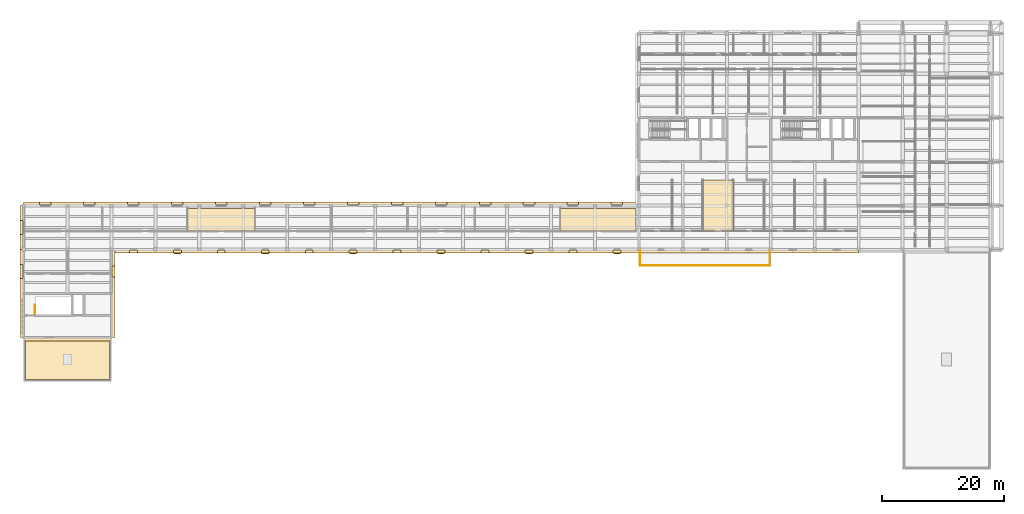
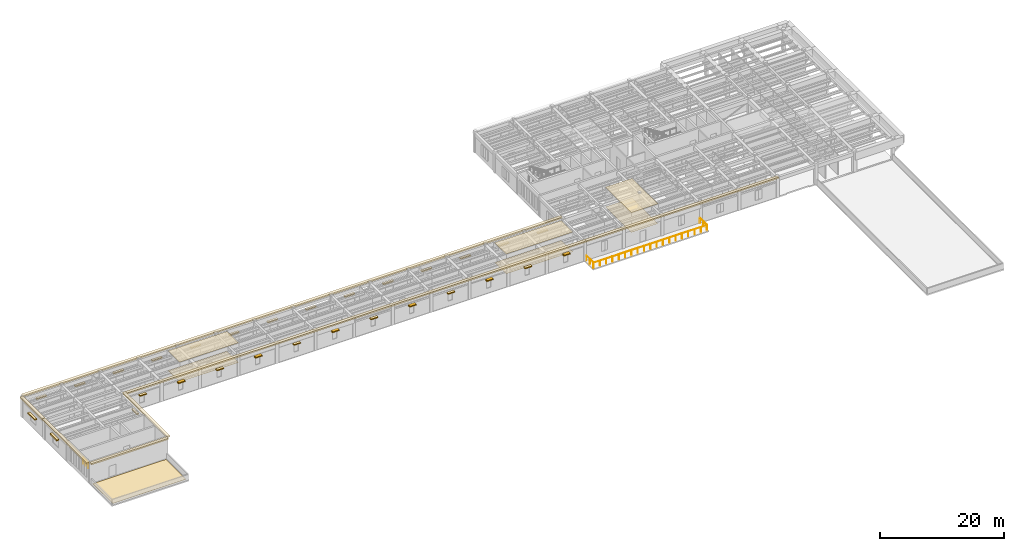
# One storey, part 20 of 22: 43 coverings, 6 shading devices, 4 railings.
"""IFC4 building model written with IfcOpenShell, lengths in metres."""

from ifc_helpers import new_model, si_unit, direction, frame, origin, origin_2d, place, context, subcontext, project, spatial, polyline, rectangle, circle, outline, extrude, material, layer, layer_set, type_object, element, save


model = new_model("IFC4")

# Units and contexts
model_context = context("Model", 3, precision=1e-05, world=origin(), true_north=direction((0.0, 1.0)))
body_context = subcontext(model_context, "Body", "Model", "MODEL_VIEW")
ifc_project = project(units=[si_unit("LENGTHUNIT", "METRE"), si_unit("AREAUNIT", "SQUARE_METRE"), si_unit("VOLUMEUNIT", "CUBIC_METRE"), si_unit("PLANEANGLEUNIT", "RADIAN"), si_unit("MASSUNIT", "GRAM", prefix="KILO")], contexts=[model_context])

# Site, building, storey
site_placement = place(None, origin())
site = spatial("IfcSite", under=ifc_project, at=site_placement, CompositionType="ELEMENT")
building_placement = place(site_placement, origin())
building = spatial("IfcBuilding", under=site, at=building_placement, Name="Mithqara Police Headquarters", CompositionType="ELEMENT")
storey_placement = place(building_placement, frame((0.0, 0.0, 22.199951171875)))
storey = spatial("IfcBuildingStorey", under=building, at=storey_placement, Name="L05", CompositionType="ELEMENT", Elevation=22.199951171875)

# Coverings
ifc_material_1 = material(Name="Acoustic mineral-fibre ceiling tile", Category="gypsum")
ifc_layer_1 = layer(ifc_material_1, 0.02490234375, Name="Acoustic mineral-fibre ceiling tile")
ifc_layer_set_1 = layer_set([ifc_layer_1], Name="Acoustic mineral-fibre ceiling tile")
covering_type_1 = type_object("IfcCoveringType", Name="ACOUSTIC CEILING TILE", PredefinedType="CEILING", material=ifc_layer_set_1)
covering_1_placement = place(storey_placement, frame((0.0, 0.0, 3.89501953125)))
element("IfcCovering", 1, at=covering_1_placement, inside=storey, type_object=covering_type_1, Name="Executive Briefing Room Acoustic Ceiling", PredefinedType="CEILING", context=body_context, shape_type="SweptSolid", body=[
    extrude(outline(polyline([(119.0859375, 81.659912109375), (124.069091796875, 81.659912109375), (124.069091796875, 89.97998046875), (119.0859375, 89.97998046875), (119.0859375, 81.659912109375)])), origin(), (0.0, 0.0, 1.0), 0.025146484375),
])
covering_2_placement = place(storey_placement, frame((0.0, 0.0, 3.89501953125)))
element("IfcCovering", 2, at=covering_2_placement, inside=storey, type_object=covering_type_1, Name="Inspectorate Audit Room Acoustic Ceiling", PredefinedType="CEILING", context=body_context, shape_type="SweptSolid", body=[
    extrude(outline(polyline([(34.679931640625, 81.659912109375), (45.68505859375, 81.659912109375), (45.68505859375, 85.360107421875), (34.679931640625, 85.360107421875), (34.679931640625, 81.659912109375)])), origin(), (0.0, 0.0, 1.0), 0.025146484375),
])
covering_3_placement = place(storey_placement, frame((0.0, 0.0, 3.89501953125)))
element("IfcCovering", 3, at=covering_3_placement, inside=storey, type_object=covering_type_1, Name="Professional Standards Hearing Room Acoustic Ceiling", PredefinedType="CEILING", context=body_context, shape_type="SweptSolid", body=[
    extrude(outline(polyline([(95.705078125, 81.659912109375), (108.159912109375, 81.659912109375), (108.159912109375, 85.360107421875), (95.705078125, 85.360107421875), (95.705078125, 81.659912109375)])), origin(), (0.0, 0.0, 1.0), 0.025146484375),
])
ifc_material_2 = material(Name="Limestone ashlar masonry, 45 MPa", Category="masonry")
ifc_layer_2 = layer(ifc_material_2, 0.320068359375, Name="Limestone ashlar masonry, 45 MPa")
ifc_layer_set_2 = layer_set([ifc_layer_2], Name="Limestone ashlar masonry, 45 MPa")
covering_type_2 = type_object("IfcCoveringType", Name="CORNICE LIMESTONE", PredefinedType="CLADDING", material=ifc_layer_set_2)
for number, where, z_axis, x_axis, name in (
    (4, (15.0, 63.919921875, 3.919921875), (0.0, 0.0, 1.0), (1.0, 0.0, 0.0), "L05 Projecting Ottoman Limestone Eaves Cornice 1"),
    (5, (22.47998046875, 71.39990234375, 3.919921875), (0.0, 0.0, 1.0), (0.0, 1.0, 0.0), "L05 Projecting Ottoman Limestone Eaves Cornice 2"),
):
    element("IfcCovering", number, at=place(storey_placement, frame(where, z_axis=z_axis, x_axis=x_axis)), inside=storey, type_object=covering_type_2, Name=name, PredefinedType="CLADDING", context=body_context, shape_type="SweptSolid", body=[
        extrude(rectangle(XDim=14.39990234375, YDim=0.56005859375, at=origin_2d()), origin(), (0.0, 0.0, 1.0), 0.280029296875),
    ])
covering_4_placement = place(storey_placement, frame((65.39990234375, 78.320068359375, 3.919921875), z_axis=(0.0, 0.0, 1.0), x_axis=(1.0, 0.0, 0.0)))
element("IfcCovering", 6, at=covering_4_placement, inside=storey, type_object=covering_type_2, Name="L05 Projecting Ottoman Limestone Eaves Cornice 3", PredefinedType="CLADDING", context=body_context, shape_type="SweptSolid", body=[
    extrude(rectangle(XDim=86.39990234375, YDim=0.56005859375, at=origin_2d()), origin(), (0.0, 0.0, 1.0), 0.280029296875),
])
covering_5_placement = place(storey_placement, frame((126.60009765625, 78.320068359375, 3.919921875), z_axis=(0.0, 0.0, 1.0), x_axis=(1.0, 0.0, 0.0)))
element("IfcCovering", 7, at=covering_5_placement, inside=storey, type_object=covering_type_2, Name="L05 Projecting Ottoman Limestone Eaves Cornice 4", PredefinedType="CLADDING", context=body_context, shape_type="SweptSolid", body=[
    extrude(rectangle(XDim=36.0, YDim=0.56005859375, at=origin_2d()), origin(), (0.0, 0.0, 1.0), 0.280029296875),
])
covering_6_placement = place(storey_placement, frame((58.199951171875, 86.080078125, 3.919921875), z_axis=(0.0, 0.0, 1.0), x_axis=(1.0, 0.0, 0.0)))
element("IfcCovering", 8, at=covering_6_placement, inside=storey, type_object=covering_type_2, Name="L05 Projecting Ottoman Limestone Eaves Cornice 10", PredefinedType="CLADDING", context=body_context, shape_type="SweptSolid", body=[
    extrude(rectangle(XDim=100.800048828125, YDim=0.56005859375, at=origin_2d()), origin(), (0.0, 0.0, 1.0), 0.280029296875),
])
covering_7_placement = place(storey_placement, frame((7.52001953125, 82.199951171875, 3.919921875), z_axis=(0.0, 0.0, 1.0), x_axis=(0.0, 1.0, 0.0)))
element("IfcCovering", 9, at=covering_7_placement, inside=storey, type_object=covering_type_2, Name="L05 Projecting Ottoman Limestone Eaves Cornice 11", PredefinedType="CLADDING", context=body_context, shape_type="SweptSolid", body=[
    extrude(rectangle(XDim=7.199951171875, YDim=0.56005859375, at=origin_2d()), origin(), (0.0, 0.0, 1.0), 0.280029296875),
])
covering_8_placement = place(storey_placement, frame((7.52001953125, 71.39990234375, 3.919921875), z_axis=(0.0, 0.0, 1.0), x_axis=(0.0, 1.0, 0.0)))
element("IfcCovering", 10, at=covering_8_placement, inside=storey, type_object=covering_type_2, Name="L05 Projecting Ottoman Limestone Eaves Cornice 12", PredefinedType="CLADDING", context=body_context, shape_type="SweptSolid", body=[
    extrude(rectangle(XDim=14.39990234375, YDim=0.56005859375, at=origin_2d()), origin(), (0.0, 0.0, 1.0), 0.280029296875),
])

# Railings
ifc_material_3 = material(Name="Bronze anodised aluminium 6063-T6", Category="aluminium")
railing_type_1 = type_object("IfcRailingType", Name="GUARD BALUSTRADE1120", PredefinedType="BALUSTRADE", material=ifc_material_3)
railing_1_placement = place(storey_placement, frame((108.780029296875, 75.97998046875, 0.0)))
element("IfcRailing", 11, at=railing_1_placement, inside=storey, type_object=railing_type_1, Name="L05 Terrace Balustrade TER-L05-S-S", PredefinedType="BALUSTRADE", context=body_context, shape_type="SweptSolid", body=[
    extrude(circle(Radius=0.02392578125, at=origin_2d()), frame((0.0, 0.0, 1.09619140625), z_axis=(1.0, 0.0, 0.0), x_axis=(0.0, 1.0, 0.0)), (0.0, 0.0, 1.0), 21.239990234375),
    extrude(circle(Radius=0.02099609375, at=origin_2d()), origin(), (0.0, 0.0, 1.0), 1.072021484375),
    extrude(circle(Radius=0.02099609375, at=origin_2d()), frame((1.179931640625, 0.0, 0.0)), (0.0, 0.0, 1.0), 1.072021484375),
    extrude(circle(Radius=0.02099609375, at=origin_2d()), frame((2.360107421875, 0.0, 0.0)), (0.0, 0.0, 1.0), 1.072021484375),
    extrude(circle(Radius=0.02099609375, at=origin_2d()), frame((3.5400390625, 0.0, 0.0)), (0.0, 0.0, 1.0), 1.072021484375),
    extrude(circle(Radius=0.02099609375, at=origin_2d()), frame((4.719970703125, 0.0, 0.0)), (0.0, 0.0, 1.0), 1.072021484375),
    extrude(circle(Radius=0.02099609375, at=origin_2d()), frame((5.89990234375, 0.0, 0.0)), (0.0, 0.0, 1.0), 1.072021484375),
    extrude(circle(Radius=0.02099609375, at=origin_2d()), frame((7.080078125, 0.0, 0.0)), (0.0, 0.0, 1.0), 1.072021484375),
    extrude(circle(Radius=0.02099609375, at=origin_2d()), frame((8.260009765625, 0.0, 0.0)), (0.0, 0.0, 1.0), 1.072021484375),
    extrude(circle(Radius=0.02099609375, at=origin_2d()), frame((9.43994140625, 0.0, 0.0)), (0.0, 0.0, 1.0), 1.072021484375),
    extrude(circle(Radius=0.02099609375, at=origin_2d()), frame((10.6201171875, 0.0, 0.0)), (0.0, 0.0, 1.0), 1.072021484375),
    extrude(circle(Radius=0.02099609375, at=origin_2d()), frame((11.800048828125, 0.0, 0.0)), (0.0, 0.0, 1.0), 1.072021484375),
    extrude(circle(Radius=0.02099609375, at=origin_2d()), frame((12.97998046875, 0.0, 0.0)), (0.0, 0.0, 1.0), 1.072021484375),
    extrude(circle(Radius=0.02099609375, at=origin_2d()), frame((14.159912109375, 0.0, 0.0)), (0.0, 0.0, 1.0), 1.072021484375),
    extrude(circle(Radius=0.02099609375, at=origin_2d()), frame((15.340087890625, 0.0, 0.0)), (0.0, 0.0, 1.0), 1.072021484375),
    extrude(circle(Radius=0.02099609375, at=origin_2d()), frame((16.52001953125, 0.0, 0.0)), (0.0, 0.0, 1.0), 1.072021484375),
    extrude(circle(Radius=0.02099609375, at=origin_2d()), frame((17.699951171875, 0.0, 0.0)), (0.0, 0.0, 1.0), 1.072021484375),
    extrude(circle(Radius=0.02099609375, at=origin_2d()), frame((18.8798828125, 0.0, 0.0)), (0.0, 0.0, 1.0), 1.072021484375),
    extrude(circle(Radius=0.02099609375, at=origin_2d()), frame((20.06005859375, 0.0, 0.0)), (0.0, 0.0, 1.0), 1.072021484375),
    extrude(circle(Radius=0.02099609375, at=origin_2d()), frame((21.239990234375, 0.0, 0.0)), (0.0, 0.0, 1.0), 1.072021484375),
])
for number, where, name in (
    (12, (108.780029296875, 76.0400390625, 0.0), "L05 Terrace Balustrade TER-L05-S-W"),
    (13, (130.02001953125, 76.0400390625, 0.0), "L05 Terrace Balustrade TER-L05-S-E"),
):
    element("IfcRailing", number, at=place(storey_placement, frame(where)), inside=storey, type_object=railing_type_1, Name=name, PredefinedType="BALUSTRADE", context=body_context, shape_type="SweptSolid", body=[
        extrude(circle(Radius=0.02392578125, at=origin_2d()), frame((0.0, 0.0, 1.09619140625), z_axis=(0.0, 1.0, 0.0), x_axis=(-1.0, 0.0, 0.0)), (0.0, 0.0, 1.0), 2.320068359375),
        extrude(circle(Radius=0.02099609375, at=origin_2d()), origin(), (0.0, 0.0, 1.0), 1.072021484375),
        extrude(circle(Radius=0.02099609375, at=origin_2d()), frame((0.0, 1.16015625, 0.0)), (0.0, 0.0, 1.0), 1.072021484375),
        extrude(circle(Radius=0.02099609375, at=origin_2d()), frame((0.0, 2.320068359375, 0.0)), (0.0, 0.0, 1.0), 1.072021484375),
    ])

# Shading devices
shading_device_type = type_object("IfcShadingDeviceType", Name="SOLAR LOUVRE BRONZE", PredefinedType="JALOUSIE", material=ifc_material_3)
for number, where, z_axis, x_axis, name in (
    (14, (33.0, 78.199951171875, 2.81005859375), (0.0, 0.0, 1.0), (1.0, 0.0, 0.0), "L05 Window Solar Louvre Hood 3.2"),
    (15, (47.39990234375, 78.199951171875, 2.81005859375), (0.0, 0.0, 1.0), (1.0, 0.0, 0.0), "L05 Window Solar Louvre Hood 3.4"),
    (16, (61.800048828125, 78.199951171875, 2.81005859375), (0.0, 0.0, 1.0), (1.0, 0.0, 0.0), "L05 Window Solar Louvre Hood 3.6"),
    (17, (76.199951171875, 78.199951171875, 2.81005859375), (0.0, 0.0, 1.0), (1.0, 0.0, 0.0), "L05 Window Solar Louvre Hood 3.8"),
    (18, (90.60009765625, 78.199951171875, 2.81005859375), (0.0, 0.0, 1.0), (1.0, 0.0, 0.0), "L05 Window Solar Louvre Hood 3.10"),
    (19, (105.0, 78.199951171875, 2.81005859375), (0.0, 0.0, 1.0), (1.0, 0.0, 0.0), "L05 Window Solar Louvre Hood 3.12"),
):
    element("IfcShadingDevice", number, at=place(storey_placement, frame(where, z_axis=z_axis, x_axis=x_axis)), inside=storey, type_object=shading_device_type, Name=name, PredefinedType="JALOUSIE", context=body_context, shape_type="SweptSolid", body=[
        extrude(rectangle(XDim=1.14990234375, YDim=0.60009765625, at=origin_2d()), origin(), (0.0, 0.0, 1.0), 0.10009765625),
    ])

# Railing
ifc_material_4 = material(Name="Steel S355JR", Category="steel")
railing_type_2 = type_object("IfcRailingType", Name="STAIR GUARD 1120", PredefinedType="GUARDRAIL", material=ifc_material_4)
railing_2_placement = place(storey_placement, frame((9.699951171875, 68.0, 0.0)))
element("IfcRailing", 20, at=railing_2_placement, inside=storey, type_object=railing_type_2, Name="L05 ST-03 top well guard 1", PredefinedType="GUARDRAIL", context=body_context, shape_type="SweptSolid", body=[
    extrude(circle(Radius=0.02392578125, at=origin_2d()), frame((0.0, 0.0, 1.076171875), z_axis=(0.0, 1.0, 0.0), x_axis=(-1.0, 0.0, 0.0)), (0.0, 0.0, 1.0), 1.550048828125),
    extrude(circle(Radius=0.02099609375, at=origin_2d()), origin(), (0.0, 0.0, 1.0), 1.052001953125),
    extrude(circle(Radius=0.02099609375, at=origin_2d()), frame((0.0, 0.77490234375, 0.0)), (0.0, 0.0, 1.0), 1.052001953125),
    extrude(circle(Radius=0.02099609375, at=origin_2d()), frame((0.0, 1.550048828125, 0.0)), (0.0, 0.0, 1.0), 1.052001953125),
])

# Coverings
ifc_material_5 = material(Name="Standing seam zinc-aluminium roofing", Category="aluminium")
ifc_layer_3 = layer(ifc_material_5, 0.0400390625, Name="Standing seam zinc-aluminium roofing")
ifc_layer_set_3 = layer_set([ifc_layer_3], Name="Standing seam zinc-aluminium roofing")
covering_type_3 = type_object("IfcCoveringType", Name="STANDING SEAM ROOFING", PredefinedType="ROOFING", material=ifc_layer_set_3)
covering_9_placement = place(storey_placement, origin())
element("IfcCovering", 21, at=covering_9_placement, inside=storey, type_object=covering_type_3, Name="L05 Insulated Roof Waterproofing ROOF-L04-00", PredefinedType="ROOFING", context=body_context, shape_type="SweptSolid", body=[
    extrude(outline(polyline([(21.85009765625, 57.35009765625), (8.14990234375, 57.35009765625), (8.14990234375, 63.830078125), (21.85009765625, 63.830078125), (21.85009765625, 57.35009765625)])), origin(), (0.0, 0.0, 1.0), 0.0400390625),
])
ifc_material_6 = material(Name="Polished limestone terrazzo flooring", Category="masonry")
ifc_layer_4 = layer(ifc_material_6, 0.02001953125, Name="Polished limestone terrazzo flooring")
ifc_layer_set_4 = layer_set([ifc_layer_4], Name="Polished limestone terrazzo flooring")
covering_type_4 = type_object("IfcCoveringType", Name="TERRAZZO FLOOR FINISH", PredefinedType="FLOORING", material=ifc_layer_set_4)
covering_10_placement = place(storey_placement, origin())
element("IfcCovering", 22, at=covering_10_placement, inside=storey, type_object=covering_type_4, Name="Executive Briefing Room Terrazzo Floor Finish", PredefinedType="FLOORING", context=body_context, shape_type="SweptSolid", body=[
    extrude(outline(polyline([(119.0859375, 81.659912109375), (124.069091796875, 81.659912109375), (124.069091796875, 89.97998046875), (119.0859375, 89.97998046875), (119.0859375, 81.659912109375)])), origin(), (0.0, 0.0, 1.0), 0.02001953125),
])
covering_11_placement = place(storey_placement, origin())
element("IfcCovering", 23, at=covering_11_placement, inside=storey, type_object=covering_type_4, Name="Inspectorate Audit Room Terrazzo Floor Finish", PredefinedType="FLOORING", context=body_context, shape_type="SweptSolid", body=[
    extrude(outline(polyline([(34.679931640625, 81.659912109375), (45.68505859375, 81.659912109375), (45.68505859375, 85.360107421875), (34.679931640625, 85.360107421875), (34.679931640625, 81.659912109375)])), origin(), (0.0, 0.0, 1.0), 0.02001953125),
])
covering_12_placement = place(storey_placement, origin())
element("IfcCovering", 24, at=covering_12_placement, inside=storey, type_object=covering_type_4, Name="Professional Standards Hearing Room Terrazzo Floor Finish", PredefinedType="FLOORING", context=body_context, shape_type="SweptSolid", body=[
    extrude(outline(polyline([(95.705078125, 81.659912109375), (108.159912109375, 81.659912109375), (108.159912109375, 85.360107421875), (95.705078125, 85.360107421875), (95.705078125, 81.659912109375)])), origin(), (0.0, 0.0, 1.0), 0.02001953125),
])
ifc_layer_5 = layer(ifc_material_2, 0.239990234375, Name="Limestone ashlar masonry, 45 MPa")
ifc_layer_set_5 = layer_set([ifc_layer_5], Name="Limestone ashlar masonry, 45 MPa")
covering_type_5 = type_object("IfcCoveringType", Name="WINDOW HOOD LIMESTONE", PredefinedType="CLADDING", material=ifc_layer_set_5)
covering_13_placement = place(storey_placement, frame((22.5400390625, 75.010009765625, 2.3701171875), z_axis=(0.0, 0.0, 1.0), x_axis=(0.0, 1.0, 0.0)))
element("IfcCovering", 25, at=covering_13_placement, inside=storey, type_object=covering_type_5, Name="L05 Limestone Window Architrave Hood 2.1", PredefinedType="CLADDING", context=body_context, shape_type="SweptSolid", body=[
    extrude(rectangle(XDim=1.739990234375, YDim=0.4599609375, at=origin_2d()), origin(), (0.0, 0.0, 1.0), 0.219970703125),
])
for number, where, z_axis, x_axis, name in (
    (26, (25.800048828125, 78.260009765625, 2.6201171875), (0.0, 0.0, 1.0), (1.0, 0.0, 0.0), "L05 Limestone Window Architrave Hood 3.1"),
    (27, (33.0, 78.260009765625, 2.6201171875), (0.0, 0.0, 1.0), (1.0, 0.0, 0.0), "L05 Limestone Window Architrave Hood 3.2"),
    (28, (40.199951171875, 78.260009765625, 2.6201171875), (0.0, 0.0, 1.0), (1.0, 0.0, 0.0), "L05 Limestone Window Architrave Hood 3.3"),
    (29, (47.39990234375, 78.260009765625, 2.6201171875), (0.0, 0.0, 1.0), (1.0, 0.0, 0.0), "L05 Limestone Window Architrave Hood 3.4"),
    (30, (54.60009765625, 78.260009765625, 2.6201171875), (0.0, 0.0, 1.0), (1.0, 0.0, 0.0), "L05 Limestone Window Architrave Hood 3.5"),
    (31, (61.800048828125, 78.260009765625, 2.6201171875), (0.0, 0.0, 1.0), (1.0, 0.0, 0.0), "L05 Limestone Window Architrave Hood 3.6"),
    (32, (69.0, 78.260009765625, 2.6201171875), (0.0, 0.0, 1.0), (1.0, 0.0, 0.0), "L05 Limestone Window Architrave Hood 3.7"),
    (33, (76.199951171875, 78.260009765625, 2.6201171875), (0.0, 0.0, 1.0), (1.0, 0.0, 0.0), "L05 Limestone Window Architrave Hood 3.8"),
    (34, (83.39990234375, 78.260009765625, 2.6201171875), (0.0, 0.0, 1.0), (1.0, 0.0, 0.0), "L05 Limestone Window Architrave Hood 3.9"),
    (35, (90.60009765625, 78.260009765625, 2.6201171875), (0.0, 0.0, 1.0), (1.0, 0.0, 0.0), "L05 Limestone Window Architrave Hood 3.10"),
    (36, (97.800048828125, 78.260009765625, 2.6201171875), (0.0, 0.0, 1.0), (1.0, 0.0, 0.0), "L05 Limestone Window Architrave Hood 3.11"),
    (37, (105.0, 78.260009765625, 2.6201171875), (0.0, 0.0, 1.0), (1.0, 0.0, 0.0), "L05 Limestone Window Architrave Hood 3.12"),
):
    element("IfcCovering", number, at=place(storey_placement, frame(where, z_axis=z_axis, x_axis=x_axis)), inside=storey, type_object=covering_type_5, Name=name, PredefinedType="CLADDING", context=body_context, shape_type="SweptSolid", body=[
        extrude(rectangle(XDim=1.2900390625, YDim=0.4599609375, at=origin_2d()), origin(), (0.0, 0.0, 1.0), 0.219970703125),
    ])
for number, where, z_axis, x_axis, name in (
    (38, (11.39990234375, 86.139892578125, 2.3701171875), (0.0, 0.0, 1.0), (1.0, 0.0, 0.0), "L05 Limestone Window Architrave Hood 10.1"),
    (39, (18.60009765625, 86.139892578125, 2.3701171875), (0.0, 0.0, 1.0), (1.0, 0.0, 0.0), "L05 Limestone Window Architrave Hood 10.2"),
    (40, (25.800048828125, 86.139892578125, 2.3701171875), (0.0, 0.0, 1.0), (1.0, 0.0, 0.0), "L05 Limestone Window Architrave Hood 10.3"),
    (41, (33.0, 86.139892578125, 2.3701171875), (0.0, 0.0, 1.0), (1.0, 0.0, 0.0), "L05 Limestone Window Architrave Hood 10.4"),
    (42, (40.199951171875, 86.139892578125, 2.3701171875), (0.0, 0.0, 1.0), (1.0, 0.0, 0.0), "L05 Limestone Window Architrave Hood 10.5"),
    (43, (47.39990234375, 86.139892578125, 2.3701171875), (0.0, 0.0, 1.0), (1.0, 0.0, 0.0), "L05 Limestone Window Architrave Hood 10.6"),
    (44, (54.60009765625, 86.139892578125, 2.3701171875), (0.0, 0.0, 1.0), (1.0, 0.0, 0.0), "L05 Limestone Window Architrave Hood 10.7"),
    (45, (61.800048828125, 86.139892578125, 2.3701171875), (0.0, 0.0, 1.0), (1.0, 0.0, 0.0), "L05 Limestone Window Architrave Hood 10.8"),
    (46, (69.0, 86.139892578125, 2.3701171875), (0.0, 0.0, 1.0), (1.0, 0.0, 0.0), "L05 Limestone Window Architrave Hood 10.9"),
    (47, (76.199951171875, 86.139892578125, 2.3701171875), (0.0, 0.0, 1.0), (1.0, 0.0, 0.0), "L05 Limestone Window Architrave Hood 10.10"),
    (48, (83.39990234375, 86.139892578125, 2.3701171875), (0.0, 0.0, 1.0), (1.0, 0.0, 0.0), "L05 Limestone Window Architrave Hood 10.11"),
    (49, (90.60009765625, 86.139892578125, 2.3701171875), (0.0, 0.0, 1.0), (1.0, 0.0, 0.0), "L05 Limestone Window Architrave Hood 10.12"),
    (50, (97.800048828125, 86.139892578125, 2.3701171875), (0.0, 0.0, 1.0), (1.0, 0.0, 0.0), "L05 Limestone Window Architrave Hood 10.13"),
    (51, (105.0, 86.139892578125, 2.3701171875), (0.0, 0.0, 1.0), (1.0, 0.0, 0.0), "L05 Limestone Window Architrave Hood 10.14"),
):
    element("IfcCovering", number, at=place(storey_placement, frame(where, z_axis=z_axis, x_axis=x_axis)), inside=storey, type_object=covering_type_5, Name=name, PredefinedType="CLADDING", context=body_context, shape_type="SweptSolid", body=[
        extrude(rectangle(XDim=1.889892578125, YDim=0.4599609375, at=origin_2d()), origin(), (0.0, 0.0, 1.0), 0.219970703125),
    ])
for number, where, z_axis, x_axis, name in (
    (52, (7.4599609375, 82.199951171875, 2.3701171875), (0.0, 0.0, 1.0), (0.0, 1.0, 0.0), "L05 Limestone Window Architrave Hood 11.1"),
    (53, (7.4599609375, 75.010009765625, 2.6201171875), (0.0, 0.0, 1.0), (0.0, 1.0, 0.0), "L05 Limestone Window Architrave Hood 12.1"),
):
    element("IfcCovering", number, at=place(storey_placement, frame(where, z_axis=z_axis, x_axis=x_axis)), inside=storey, type_object=covering_type_5, Name=name, PredefinedType="CLADDING", context=body_context, shape_type="SweptSolid", body=[
        extrude(rectangle(XDim=2.239990234375, YDim=0.4599609375, at=origin_2d()), origin(), (0.0, 0.0, 1.0), 0.219970703125),
    ])

save(model, "model.ifc")
